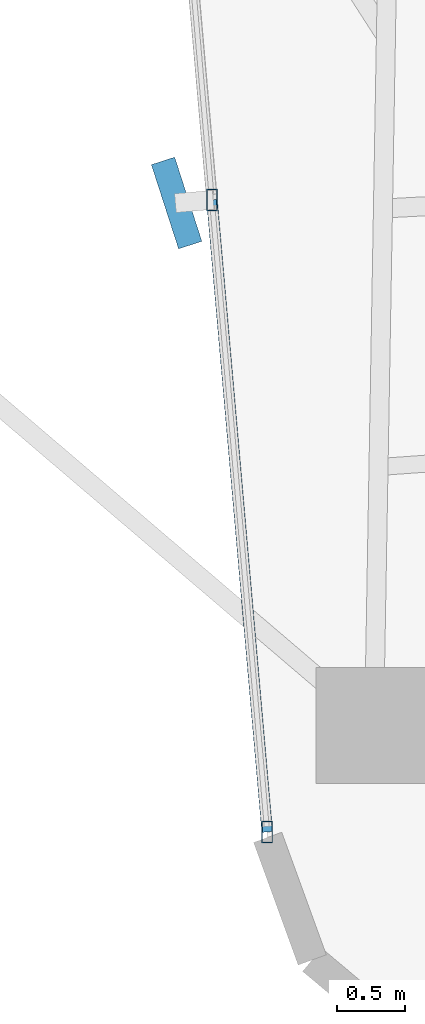
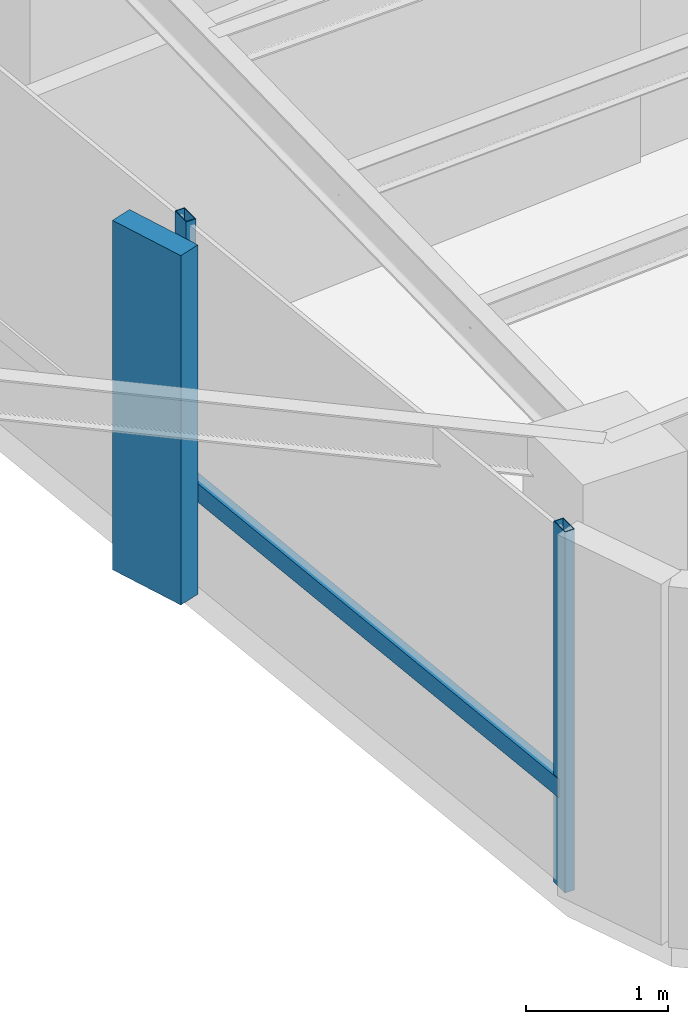
# One storey, part 2 of 24: 4 members, 1 element without a shape of its own.
"""IFC4 building model written with IfcOpenShell, lengths in metres."""

from ifc_helpers import new_model, si_unit, direction, frame, origin, origin_2d, place, context, subcontext, project, spatial, rectangle, hollow_rectangle, extrude, source, transform, mapped, material, material_profile, profile_set, type_object, element, aggregate, save


model = new_model("IFC4")

# Units and contexts
model_context = context("Model", 3, precision=1e-05, world=origin(), true_north=direction((0.0, 1.0)))
body_context = subcontext(model_context, "Body", "Model", "MODEL_VIEW")
ifc_project = project(units=[si_unit("LENGTHUNIT", "METRE"), si_unit("AREAUNIT", "SQUARE_METRE"), si_unit("VOLUMEUNIT", "CUBIC_METRE"), si_unit("PLANEANGLEUNIT", "RADIAN"), si_unit("MASSUNIT", "GRAM", prefix="KILO")], contexts=[model_context])

# Site, building, storey
site_placement = place(None, origin())
site = spatial("IfcSite", under=ifc_project, at=site_placement, CompositionType="ELEMENT")
building_placement = place(site_placement, origin())
building = spatial("IfcBuilding", under=site, at=building_placement, Name="Sahyath Konkavel Grand Hotel", CompositionType="ELEMENT")
storey_placement = place(building_placement, frame((0.0, 0.0, 178.550048828125)))
storey = spatial("IfcBuildingStorey", under=building, at=storey_placement, Name="L49", CompositionType="ELEMENT", Elevation=178.550048828125)

# Curtain wall, members
ifc_material_1 = material(Name="Anodised Bronze Aluminium & Low-E Glazing", Category="aluminium")
curtain_wall_type = type_object("IfcCurtainWallType", Name="CW-ZONE3", PredefinedType="NOTDEFINED", material=ifc_material_1)
curtain_wall_placement = place(storey_placement, origin())
curtain_wall = element("IfcCurtainWall", 1, at=curtain_wall_placement, inside=storey, type_object=curtain_wall_type, Name="L49 Unitised Curtain Wall F24", PredefinedType="NOTDEFINED")
ifc_material_2 = material(Name="Anodised Bronze Aluminium", Category="aluminium")
ifc_material_profile_1 = material_profile(ifc_material_2, hollow_rectangle(XDim=0.080078125, YDim=0.159912109375, WallThickness=0.006103515625, at=origin_2d()), Name="RHS 160x80x6")
ifc_profile_set_1 = profile_set([ifc_material_profile_1], Name="Anodised Bronze Aluminium")
member_type_1 = type_object("IfcMemberType", Name="CW-MUL-160", PredefinedType="MULLION", material=ifc_profile_set_1)
shared_shape_1 = source(origin(), body_context, "Body", "SweptSolid", [
    extrude(hollow_rectangle(XDim=0.080078125, YDim=0.159912109375, WallThickness=0.006103515625, at=origin_2d()), origin(), (0.0, 0.0, 1.0), 3.10986328125),
])
member_1_placement = place(storey_placement, frame((-5.12744140625, -14.251220703125, 0.0), z_axis=(0.0, 0.0, 1.0), x_axis=(1.0, 0.0, 0.0)))
member_1 = element("IfcMember", 2, at=member_1_placement, type_object=member_type_1, Name="L49 Curtain Wall Mullion F24-1", PredefinedType="MULLION", context=body_context, shape_type="MappedRepresentation", body=[
    mapped(shared_shape_1, transform((0.0, 0.0, 0.0), scale=1.0)),
])
member_2_placement = place(storey_placement, frame((-4.72119140625, -18.893310546875, 0.0), z_axis=(0.0, 0.0, 1.0), x_axis=(1.0, 0.0, 0.0)))
member_2 = element("IfcMember", 3, at=member_2_placement, type_object=member_type_1, Name="L49 Curtain Wall Mullion F24-2", PredefinedType="MULLION", context=body_context, shape_type="MappedRepresentation", body=[
    mapped(shared_shape_1, transform((0.0, 0.0, 0.0), scale=1.0)),
])
ifc_material_3 = material(Name="Warm Buff Sandstone Cladding on Concrete C50/60", Category="masonry")
ifc_material_profile_2 = material_profile(ifc_material_3, rectangle(XDim=0.179931640625, YDim=0.64990234375, at=origin_2d()), Name="FIN 180x650")
ifc_profile_set_2 = profile_set([ifc_material_profile_2], Name="Warm Buff Sandstone Cladding on Concrete C50/60")
member_type_2 = type_object("IfcMemberType", Name="FIN-SANDSTONE-650", PredefinedType="MULLION", material=ifc_profile_set_2)
shared_shape_2 = source(origin(), body_context, "Body", "SweptSolid", [
    extrude(rectangle(XDim=0.179931640625, YDim=0.64990234375, at=origin_2d()), origin(), (0.0, 0.0, 1.0), 3.010009765625),
])
member_3_placement = place(storey_placement, frame((-5.386474609375, -14.273681640625, 0.050048828125), z_axis=(0.0, 0.0, 1.0), x_axis=(0.951487058208, 0.307688768178, 0.0)))
member_3 = element("IfcMember", 4, at=member_3_placement, type_object=member_type_2, Name="L49 Sandstone Vertical Solar Fin FIN F24-1", PredefinedType="MULLION", context=body_context, shape_type="MappedRepresentation", body=[
    mapped(shared_shape_2, transform((0.0, 0.0, 0.0), scale=1.0)),
])
ifc_material_profile_3 = material_profile(ifc_material_2, hollow_rectangle(XDim=0.080078125, YDim=0.159912109375, WallThickness=0.006103515625, at=origin_2d()), Name="RHS 160x80x6")
ifc_profile_set_3 = profile_set([ifc_material_profile_3], Name="Anodised Bronze Aluminium")
member_type_3 = type_object("IfcMemberType", Name="CW-TRN-160", PredefinedType="USERDEFINED", material=ifc_profile_set_3)
shared_shape_3 = source(origin(), body_context, "Body", "SweptSolid", [
    extrude(hollow_rectangle(XDim=0.080078125, YDim=0.159912109375, WallThickness=0.006103515625, at=origin_2d()), origin(), (0.0, 0.0, 1.0), 4.659912109375),
])
member_4_placement = place(storey_placement, frame((-5.12744140625, -14.251220703125, 0.849853515625), z_axis=(0.087181248758, -0.996192466276, 0.0), x_axis=(0.996192466276, 0.087181248758, 0.0)))
member_4 = element("IfcMember", 5, at=member_4_placement, type_object=member_type_3, Name="L49 Curtain Wall Transom F24-1-spandrel", ObjectType="TRANSOM", PredefinedType="USERDEFINED", context=body_context, shape_type="MappedRepresentation", body=[
    mapped(shared_shape_3, transform((0.0, 0.0, 0.0), scale=1.0)),
])
aggregate(curtain_wall, [member_1, member_3, member_2, member_4])

save(model, "model.ifc")
